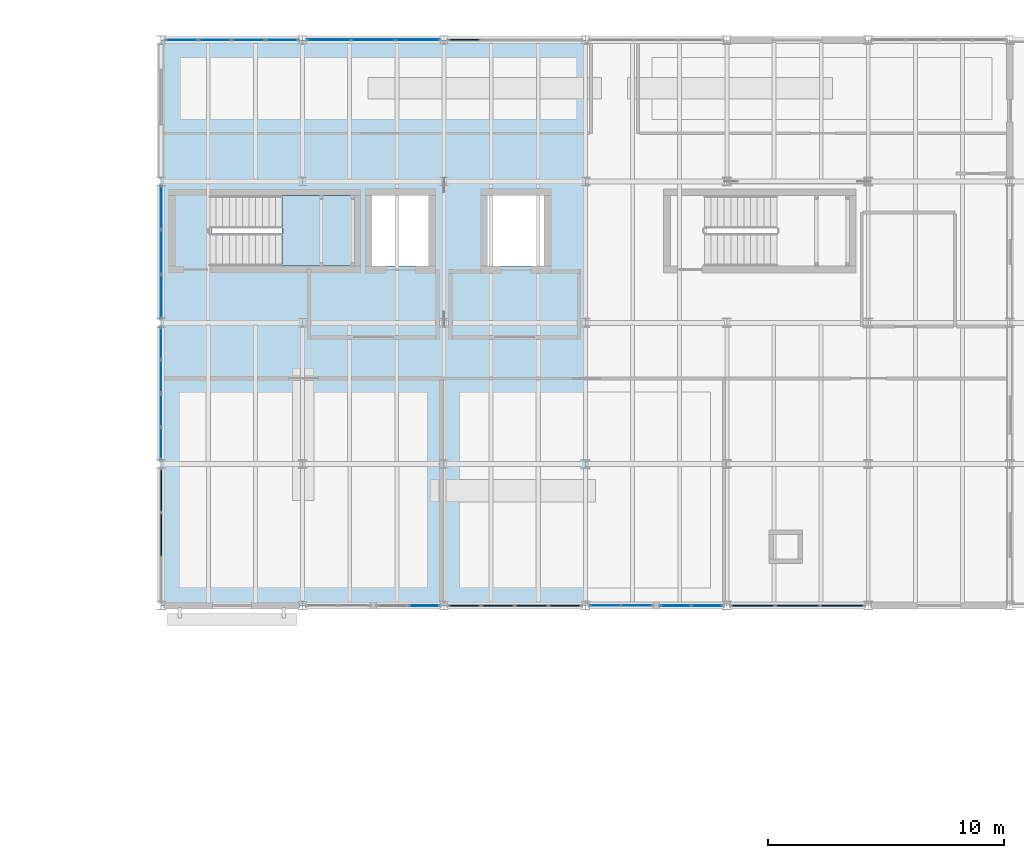
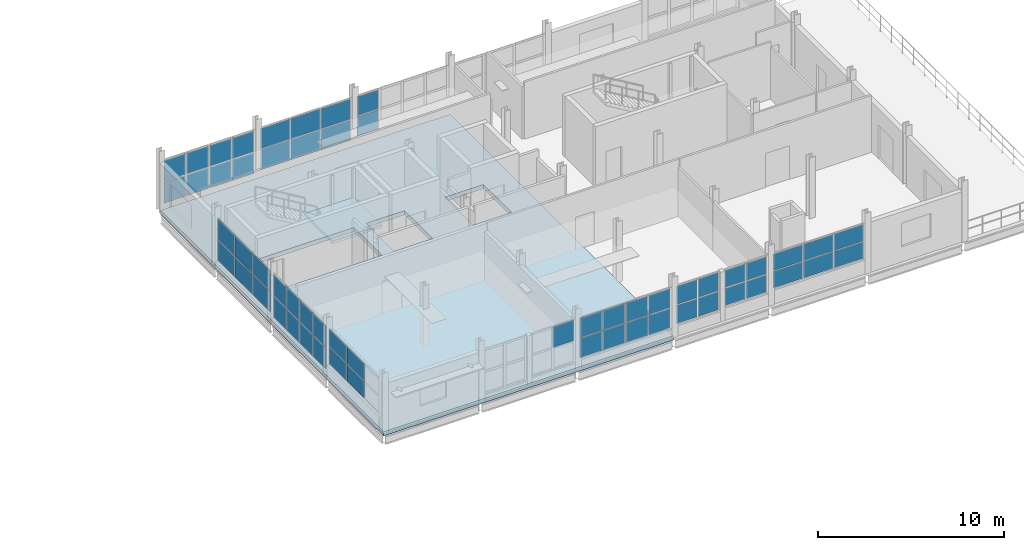
# One storey, part 23 of 45: 57 plates, 2 slabs, 12 elements without a shape of their own.
"""IFC4 building model written with IfcOpenShell, lengths in metres."""

from ifc_helpers import new_model, si_unit, direction, frame, origin, origin_2d, place, context, subcontext, project, spatial, polyline, rectangle, outline, extrude, material, layer, layer_set, type_object, element, aggregate, save


model = new_model("IFC4")

# Units and contexts
model_context = context("Model", 3, precision=1e-05, world=origin(), true_north=direction((0.0, 1.0)))
body_context = subcontext(model_context, "Body", "Model", "MODEL_VIEW")
ifc_project = project(units=[si_unit("LENGTHUNIT", "METRE"), si_unit("AREAUNIT", "SQUARE_METRE"), si_unit("VOLUMEUNIT", "CUBIC_METRE"), si_unit("PLANEANGLEUNIT", "RADIAN"), si_unit("MASSUNIT", "GRAM", prefix="KILO")], contexts=[model_context])

# Site, building, storey
site_placement = place(None, origin())
site = spatial("IfcSite", under=ifc_project, at=site_placement, CompositionType="ELEMENT")
building_placement = place(site_placement, origin())
building = spatial("IfcBuilding", under=site, at=building_placement, Name="Siltcreek Boulevard Central Fire Station", CompositionType="ELEMENT")
storey_placement = place(building_placement, frame((0.0, 0.0, 10.0)))
storey = spatial("IfcBuildingStorey", under=building, at=storey_placement, Name="L03", CompositionType="ELEMENT", Elevation=10.0)

# Curtain wall, plates
ifc_material_1 = material(Name="Anodized aluminum and low-E insulated glazing", Category="aluminium")
curtain_wall_type_1 = type_object("IfcCurtainWallType", Name="CW_SYS_04", PredefinedType="USERDEFINED", material=ifc_material_1)
curtain_wall_1_placement = place(storey_placement, origin())
curtain_wall_1 = element("IfcCurtainWall", 1, at=curtain_wall_1_placement, inside=storey, type_object=curtain_wall_type_1, Name="L03 V5 unitised curtain wall CW-153", ObjectType="CURTAIN WALL", PredefinedType="USERDEFINED")
ifc_material_2 = material(Name="Low-E double insulated glass unit", Category="glass")
ifc_layer_1 = layer(ifc_material_2, 0.028076171875, Name="Low-E double insulated glass unit")
ifc_layer_set_1 = layer_set([ifc_layer_1], Name="Low-E double insulated glass unit")
plate_type_1 = type_object("IfcPlateType", Name="CWP_GLZ_1", PredefinedType="CURTAIN_PANEL", material=ifc_layer_set_1)
plate_1_placement = place(storey_placement, frame((143.038818359375, 88.199951171875, 0.73974609375), z_axis=(0.0, 0.0, 1.0), x_axis=(1.0, 0.0, 0.0)))
plate_1 = element("IfcPlate", 2, at=plate_1_placement, type_object=plate_type_1, Name="CW-153 panel 1.1", PredefinedType="CURTAIN_PANEL", context=body_context, shape_type="SweptSolid", body=[
    extrude(rectangle(XDim=1.267578125, YDim=0.028076171875, at=origin_2d()), origin(), (0.0, 0.0, 1.0), 1.194580078125),
])
plate_2_placement = place(storey_placement, frame((143.038818359375, 88.199951171875, 1.99462890625), z_axis=(0.0, 0.0, 1.0), x_axis=(1.0, 0.0, 0.0)))
plate_2 = element("IfcPlate", 3, at=plate_2_placement, type_object=plate_type_1, Name="CW-153 panel 1.2", PredefinedType="CURTAIN_PANEL", context=body_context, shape_type="SweptSolid", body=[
    extrude(rectangle(XDim=1.267578125, YDim=0.028076171875, at=origin_2d()), origin(), (0.0, 0.0, 1.0), 1.194580078125),
])
plate_3_placement = place(storey_placement, frame((144.3662109375, 88.199951171875, 0.73974609375), z_axis=(0.0, 0.0, 1.0), x_axis=(1.0, 0.0, 0.0)))
plate_3 = element("IfcPlate", 4, at=plate_3_placement, type_object=plate_type_1, Name="CW-153 panel 2.1", PredefinedType="CURTAIN_PANEL", context=body_context, shape_type="SweptSolid", body=[
    extrude(rectangle(XDim=1.267578125, YDim=0.028076171875, at=origin_2d()), origin(), (0.0, 0.0, 1.0), 1.194580078125),
])
plate_4_placement = place(storey_placement, frame((144.3662109375, 88.199951171875, 1.99462890625), z_axis=(0.0, 0.0, 1.0), x_axis=(1.0, 0.0, 0.0)))
plate_4 = element("IfcPlate", 5, at=plate_4_placement, type_object=plate_type_1, Name="CW-153 panel 2.2", PredefinedType="CURTAIN_PANEL", context=body_context, shape_type="SweptSolid", body=[
    extrude(rectangle(XDim=1.267578125, YDim=0.028076171875, at=origin_2d()), origin(), (0.0, 0.0, 1.0), 1.194580078125),
])
aggregate(curtain_wall_1, [plate_1, plate_2, plate_3, plate_4])

curtain_wall_type_2 = type_object("IfcCurtainWallType", Name="CW_SYS_07", PredefinedType="USERDEFINED", material=ifc_material_1)
curtain_wall_2_placement = place(storey_placement, origin())
curtain_wall_2 = element("IfcCurtainWall", 6, at=curtain_wall_2_placement, inside=storey, type_object=curtain_wall_type_2, Name="L03 V5 unitised curtain wall CW-156", ObjectType="CURTAIN WALL", PredefinedType="USERDEFINED")
plate_5_placement = place(storey_placement, frame((129.324951171875, 112.199951171875, 0.38525390625), z_axis=(0.0, 0.0, 1.0), x_axis=(-1.0, 0.0, 0.0)))
plate_5 = element("IfcPlate", 7, at=plate_5_placement, type_object=plate_type_1, Name="CW-156 panel 1.1", PredefinedType="CURTAIN_PANEL", context=body_context, shape_type="SweptSolid", body=[
    extrude(rectangle(XDim=1.330078125, YDim=0.028076171875, at=origin_2d()), origin(), (0.0, 0.0, 1.0), 1.366943359375),
])
plate_6_placement = place(storey_placement, frame((129.324951171875, 112.199951171875, 1.81689453125), z_axis=(0.0, 0.0, 1.0), x_axis=(-1.0, 0.0, 0.0)))
plate_6 = element("IfcPlate", 8, at=plate_6_placement, type_object=plate_type_1, Name="CW-156 panel 1.2", PredefinedType="CURTAIN_PANEL", context=body_context, shape_type="SweptSolid", body=[
    extrude(rectangle(XDim=1.330078125, YDim=0.028076171875, at=origin_2d()), origin(), (0.0, 0.0, 1.0), 1.366943359375),
])
plate_7_placement = place(storey_placement, frame((127.913818359375, 112.199951171875, 0.38525390625), z_axis=(0.0, 0.0, 1.0), x_axis=(-1.0, 0.0, 0.0)))
plate_7 = element("IfcPlate", 9, at=plate_7_placement, type_object=plate_type_1, Name="CW-156 panel 2.1", PredefinedType="CURTAIN_PANEL", context=body_context, shape_type="SweptSolid", body=[
    extrude(rectangle(XDim=1.362548828125, YDim=0.028076171875, at=origin_2d()), origin(), (0.0, 0.0, 1.0), 1.366943359375),
])
plate_8_placement = place(storey_placement, frame((127.913818359375, 112.199951171875, 1.81689453125), z_axis=(0.0, 0.0, 1.0), x_axis=(-1.0, 0.0, 0.0)))
plate_8 = element("IfcPlate", 10, at=plate_8_placement, type_object=plate_type_1, Name="CW-156 panel 2.2", PredefinedType="CURTAIN_PANEL", context=body_context, shape_type="SweptSolid", body=[
    extrude(rectangle(XDim=1.362548828125, YDim=0.028076171875, at=origin_2d()), origin(), (0.0, 0.0, 1.0), 1.366943359375),
])
plate_9_placement = place(storey_placement, frame((126.486328125, 112.199951171875, 0.38525390625), z_axis=(0.0, 0.0, 1.0), x_axis=(-1.0, 0.0, 0.0)))
plate_9 = element("IfcPlate", 11, at=plate_9_placement, type_object=plate_type_1, Name="CW-156 panel 3.1", PredefinedType="CURTAIN_PANEL", context=body_context, shape_type="SweptSolid", body=[
    extrude(rectangle(XDim=1.362548828125, YDim=0.028076171875, at=origin_2d()), origin(), (0.0, 0.0, 1.0), 1.366943359375),
])
plate_10_placement = place(storey_placement, frame((126.486328125, 112.199951171875, 1.81689453125), z_axis=(0.0, 0.0, 1.0), x_axis=(-1.0, 0.0, 0.0)))
plate_10 = element("IfcPlate", 12, at=plate_10_placement, type_object=plate_type_1, Name="CW-156 panel 3.2", PredefinedType="CURTAIN_PANEL", context=body_context, shape_type="SweptSolid", body=[
    extrude(rectangle(XDim=1.362548828125, YDim=0.028076171875, at=origin_2d()), origin(), (0.0, 0.0, 1.0), 1.366943359375),
])
plate_11_placement = place(storey_placement, frame((125.074951171875, 112.199951171875, 0.38525390625), z_axis=(0.0, 0.0, 1.0), x_axis=(-1.0, 0.0, 0.0)))
plate_11 = element("IfcPlate", 13, at=plate_11_placement, type_object=plate_type_1, Name="CW-156 panel 4.1", PredefinedType="CURTAIN_PANEL", context=body_context, shape_type="SweptSolid", body=[
    extrude(rectangle(XDim=1.330078125, YDim=0.028076171875, at=origin_2d()), origin(), (0.0, 0.0, 1.0), 1.366943359375),
])
plate_12_placement = place(storey_placement, frame((125.074951171875, 112.199951171875, 1.81689453125), z_axis=(0.0, 0.0, 1.0), x_axis=(-1.0, 0.0, 0.0)))
plate_12 = element("IfcPlate", 14, at=plate_12_placement, type_object=plate_type_1, Name="CW-156 panel 4.2", PredefinedType="CURTAIN_PANEL", context=body_context, shape_type="SweptSolid", body=[
    extrude(rectangle(XDim=1.330078125, YDim=0.028076171875, at=origin_2d()), origin(), (0.0, 0.0, 1.0), 1.366943359375),
])
aggregate(curtain_wall_2, [plate_5, plate_6, plate_7, plate_8, plate_9, plate_10, plate_11, plate_12])

curtain_wall_type_3 = type_object("IfcCurtainWallType", Name="CW_SYS_13", PredefinedType="USERDEFINED", material=ifc_material_1)
curtain_wall_3_placement = place(storey_placement, origin())
curtain_wall_3 = element("IfcCurtainWall", 15, at=curtain_wall_3_placement, inside=storey, type_object=curtain_wall_type_3, Name="L03 V5 unitised curtain wall CW-162", ObjectType="CURTAIN WALL", PredefinedType="USERDEFINED")
plate_13_placement = place(storey_placement, frame((124.199951171875, 99.324951171875, 0.38525390625), z_axis=(0.0, 0.0, 1.0), x_axis=(0.0, -1.0, 0.0)))
plate_13 = element("IfcPlate", 16, at=plate_13_placement, type_object=plate_type_1, Name="CW-162 panel 1.1", PredefinedType="CURTAIN_PANEL", context=body_context, shape_type="SweptSolid", body=[
    extrude(rectangle(XDim=1.330078125, YDim=0.028076171875, at=origin_2d()), origin(), (0.0, 0.0, 1.0), 1.368896484375),
])
plate_14_placement = place(storey_placement, frame((124.199951171875, 99.324951171875, 1.81884765625), z_axis=(0.0, 0.0, 1.0), x_axis=(0.0, -1.0, 0.0)))
plate_14 = element("IfcPlate", 17, at=plate_14_placement, type_object=plate_type_1, Name="CW-162 panel 1.2", PredefinedType="CURTAIN_PANEL", context=body_context, shape_type="SweptSolid", body=[
    extrude(rectangle(XDim=1.330078125, YDim=0.028076171875, at=origin_2d()), origin(), (0.0, 0.0, 1.0), 1.368896484375),
])
plate_15_placement = place(storey_placement, frame((124.199951171875, 97.913818359375, 0.38525390625), z_axis=(0.0, 0.0, 1.0), x_axis=(0.0, -1.0, 0.0)))
plate_15 = element("IfcPlate", 18, at=plate_15_placement, type_object=plate_type_1, Name="CW-162 panel 2.1", PredefinedType="CURTAIN_PANEL", context=body_context, shape_type="SweptSolid", body=[
    extrude(rectangle(XDim=1.362548828125, YDim=0.028076171875, at=origin_2d()), origin(), (0.0, 0.0, 1.0), 1.368896484375),
])
plate_16_placement = place(storey_placement, frame((124.199951171875, 97.913818359375, 1.81884765625), z_axis=(0.0, 0.0, 1.0), x_axis=(0.0, -1.0, 0.0)))
plate_16 = element("IfcPlate", 19, at=plate_16_placement, type_object=plate_type_1, Name="CW-162 panel 2.2", PredefinedType="CURTAIN_PANEL", context=body_context, shape_type="SweptSolid", body=[
    extrude(rectangle(XDim=1.362548828125, YDim=0.028076171875, at=origin_2d()), origin(), (0.0, 0.0, 1.0), 1.368896484375),
])
plate_17_placement = place(storey_placement, frame((124.199951171875, 96.486328125, 0.38525390625), z_axis=(0.0, 0.0, 1.0), x_axis=(0.0, -1.0, 0.0)))
plate_17 = element("IfcPlate", 20, at=plate_17_placement, type_object=plate_type_1, Name="CW-162 panel 3.1", PredefinedType="CURTAIN_PANEL", context=body_context, shape_type="SweptSolid", body=[
    extrude(rectangle(XDim=1.362548828125, YDim=0.028076171875, at=origin_2d()), origin(), (0.0, 0.0, 1.0), 1.368896484375),
])
plate_18_placement = place(storey_placement, frame((124.199951171875, 96.486328125, 1.81884765625), z_axis=(0.0, 0.0, 1.0), x_axis=(0.0, -1.0, 0.0)))
plate_18 = element("IfcPlate", 21, at=plate_18_placement, type_object=plate_type_1, Name="CW-162 panel 3.2", PredefinedType="CURTAIN_PANEL", context=body_context, shape_type="SweptSolid", body=[
    extrude(rectangle(XDim=1.362548828125, YDim=0.028076171875, at=origin_2d()), origin(), (0.0, 0.0, 1.0), 1.368896484375),
])
plate_19_placement = place(storey_placement, frame((124.199951171875, 95.074951171875, 0.38525390625), z_axis=(0.0, 0.0, 1.0), x_axis=(0.0, -1.0, 0.0)))
plate_19 = element("IfcPlate", 22, at=plate_19_placement, type_object=plate_type_1, Name="CW-162 panel 4.1", PredefinedType="CURTAIN_PANEL", context=body_context, shape_type="SweptSolid", body=[
    extrude(rectangle(XDim=1.330078125, YDim=0.028076171875, at=origin_2d()), origin(), (0.0, 0.0, 1.0), 1.368896484375),
])
plate_20_placement = place(storey_placement, frame((124.199951171875, 95.074951171875, 1.81884765625), z_axis=(0.0, 0.0, 1.0), x_axis=(0.0, -1.0, 0.0)))
plate_20 = element("IfcPlate", 23, at=plate_20_placement, type_object=plate_type_1, Name="CW-162 panel 4.2", PredefinedType="CURTAIN_PANEL", context=body_context, shape_type="SweptSolid", body=[
    extrude(rectangle(XDim=1.330078125, YDim=0.028076171875, at=origin_2d()), origin(), (0.0, 0.0, 1.0), 1.368896484375),
])
aggregate(curtain_wall_3, [plate_13, plate_14, plate_15, plate_16, plate_17, plate_18, plate_19, plate_20])

# Curtain wall, plate
curtain_wall_type_4 = type_object("IfcCurtainWallType", Name="CW_SYS_02", PredefinedType="USERDEFINED", material=ifc_material_1)
curtain_wall_4_placement = place(storey_placement, origin())
curtain_wall_4 = element("IfcCurtainWall", 24, at=curtain_wall_4_placement, inside=storey, type_object=curtain_wall_type_4, Name="L03 V5 unitised curtain wall CW-151", ObjectType="CURTAIN WALL", PredefinedType="USERDEFINED")
ifc_layer_2 = layer(ifc_material_2, 0.0380859375, Name="Low-E double insulated glass unit")
ifc_layer_set_2 = layer_set([ifc_layer_2], Name="Low-E double insulated glass unit")
plate_type_2 = type_object("IfcPlateType", Name="CWP_GLZ_2", PredefinedType="CURTAIN_PANEL", material=ifc_layer_set_2)
plate_21_placement = place(storey_placement, frame((135.361328125, 88.199951171875, 1.87451171875), z_axis=(0.0, 0.0, 1.0), x_axis=(1.0, 0.0, 0.0)))
plate_21 = element("IfcPlate", 25, at=plate_21_placement, type_object=plate_type_2, Name="CW-151 panel 2.2", PredefinedType="CURTAIN_PANEL", context=body_context, shape_type="SweptSolid", body=[
    extrude(rectangle(XDim=1.267578125, YDim=0.0380859375, at=origin_2d()), origin(), (0.0, 0.0, 1.0), 1.314453125),
])
aggregate(curtain_wall_4, [plate_21])

# Curtain wall, plates
curtain_wall_type_5 = type_object("IfcCurtainWallType", Name="CW_SYS_05", PredefinedType="USERDEFINED", material=ifc_material_1)
curtain_wall_5_placement = place(storey_placement, origin())
curtain_wall_5 = element("IfcCurtainWall", 26, at=curtain_wall_5_placement, inside=storey, type_object=curtain_wall_type_5, Name="L03 V5 unitised curtain wall CW-154", ObjectType="CURTAIN WALL", PredefinedType="USERDEFINED")
plate_22_placement = place(storey_placement, frame((146.034912109375, 88.199951171875, 0.864990234375), z_axis=(0.0, 0.0, 1.0), x_axis=(1.0, 0.0, 0.0)))
plate_22 = element("IfcPlate", 27, at=plate_22_placement, type_object=plate_type_2, Name="CW-154 panel 1.1", PredefinedType="CURTAIN_PANEL", context=body_context, shape_type="SweptSolid", body=[
    extrude(rectangle(XDim=1.260009765625, YDim=0.0380859375, at=origin_2d()), origin(), (0.0, 0.0, 1.0), 1.126953125),
])
plate_23_placement = place(storey_placement, frame((146.034912109375, 88.199951171875, 2.05712890625), z_axis=(0.0, 0.0, 1.0), x_axis=(1.0, 0.0, 0.0)))
plate_23 = element("IfcPlate", 28, at=plate_23_placement, type_object=plate_type_2, Name="CW-154 panel 1.2", PredefinedType="CURTAIN_PANEL", context=body_context, shape_type="SweptSolid", body=[
    extrude(rectangle(XDim=1.260009765625, YDim=0.0380859375, at=origin_2d()), origin(), (0.0, 0.0, 1.0), 1.126953125),
])
plate_24_placement = place(storey_placement, frame((147.360107421875, 88.199951171875, 0.864990234375), z_axis=(0.0, 0.0, 1.0), x_axis=(1.0, 0.0, 0.0)))
plate_24 = element("IfcPlate", 29, at=plate_24_placement, type_object=plate_type_2, Name="CW-154 panel 2.1", PredefinedType="CURTAIN_PANEL", context=body_context, shape_type="SweptSolid", body=[
    extrude(rectangle(XDim=1.260009765625, YDim=0.0380859375, at=origin_2d()), origin(), (0.0, 0.0, 1.0), 1.126953125),
])
plate_25_placement = place(storey_placement, frame((147.360107421875, 88.199951171875, 2.05712890625), z_axis=(0.0, 0.0, 1.0), x_axis=(1.0, 0.0, 0.0)))
plate_25 = element("IfcPlate", 30, at=plate_25_placement, type_object=plate_type_2, Name="CW-154 panel 2.2", PredefinedType="CURTAIN_PANEL", context=body_context, shape_type="SweptSolid", body=[
    extrude(rectangle(XDim=1.260009765625, YDim=0.0380859375, at=origin_2d()), origin(), (0.0, 0.0, 1.0), 1.126953125),
])
aggregate(curtain_wall_5, [plate_22, plate_23, plate_24, plate_25])

curtain_wall_type_6 = type_object("IfcCurtainWallType", Name="CW_SYS_08", PredefinedType="USERDEFINED", material=ifc_material_1)
curtain_wall_6_placement = place(storey_placement, origin())
curtain_wall_6 = element("IfcCurtainWall", 31, at=curtain_wall_6_placement, inside=storey, type_object=curtain_wall_type_6, Name="L03 V5 unitised curtain wall CW-157", ObjectType="CURTAIN WALL", PredefinedType="USERDEFINED")
plate_26_placement = place(storey_placement, frame((135.08837890625, 112.199951171875, 0.5), z_axis=(0.0, 0.0, 1.0), x_axis=(-1.0, 0.0, 0.0)))
plate_26 = element("IfcPlate", 32, at=plate_26_placement, type_object=plate_type_2, Name="CW-157 panel 1.1", PredefinedType="CURTAIN_PANEL", context=body_context, shape_type="SweptSolid", body=[
    extrude(rectangle(XDim=1.813232421875, YDim=0.0380859375, at=origin_2d()), origin(), (0.0, 0.0, 1.0), 1.314453125),
])
plate_27_placement = place(storey_placement, frame((135.08837890625, 112.199951171875, 1.87451171875), z_axis=(0.0, 0.0, 1.0), x_axis=(-1.0, 0.0, 0.0)))
plate_27 = element("IfcPlate", 33, at=plate_27_placement, type_object=plate_type_2, Name="CW-157 panel 1.2", PredefinedType="CURTAIN_PANEL", context=body_context, shape_type="SweptSolid", body=[
    extrude(rectangle(XDim=1.813232421875, YDim=0.0380859375, at=origin_2d()), origin(), (0.0, 0.0, 1.0), 1.314453125),
])
plate_28_placement = place(storey_placement, frame((133.199951171875, 112.199951171875, 0.5), z_axis=(0.0, 0.0, 1.0), x_axis=(-1.0, 0.0, 0.0)))
plate_28 = element("IfcPlate", 34, at=plate_28_placement, type_object=plate_type_2, Name="CW-157 panel 2.1", PredefinedType="CURTAIN_PANEL", context=body_context, shape_type="SweptSolid", body=[
    extrude(rectangle(XDim=1.84326171875, YDim=0.0380859375, at=origin_2d()), origin(), (0.0, 0.0, 1.0), 1.314453125),
])
plate_29_placement = place(storey_placement, frame((133.199951171875, 112.199951171875, 1.87451171875), z_axis=(0.0, 0.0, 1.0), x_axis=(-1.0, 0.0, 0.0)))
plate_29 = element("IfcPlate", 35, at=plate_29_placement, type_object=plate_type_2, Name="CW-157 panel 2.2", PredefinedType="CURTAIN_PANEL", context=body_context, shape_type="SweptSolid", body=[
    extrude(rectangle(XDim=1.84326171875, YDim=0.0380859375, at=origin_2d()), origin(), (0.0, 0.0, 1.0), 1.314453125),
])
plate_30_placement = place(storey_placement, frame((131.311767578125, 112.199951171875, 0.5), z_axis=(0.0, 0.0, 1.0), x_axis=(-1.0, 0.0, 0.0)))
plate_30 = element("IfcPlate", 36, at=plate_30_placement, type_object=plate_type_2, Name="CW-157 panel 3.1", PredefinedType="CURTAIN_PANEL", context=body_context, shape_type="SweptSolid", body=[
    extrude(rectangle(XDim=1.813232421875, YDim=0.0380859375, at=origin_2d()), origin(), (0.0, 0.0, 1.0), 1.314453125),
])
plate_31_placement = place(storey_placement, frame((131.311767578125, 112.199951171875, 1.87451171875), z_axis=(0.0, 0.0, 1.0), x_axis=(-1.0, 0.0, 0.0)))
plate_31 = element("IfcPlate", 37, at=plate_31_placement, type_object=plate_type_2, Name="CW-157 panel 3.2", PredefinedType="CURTAIN_PANEL", context=body_context, shape_type="SweptSolid", body=[
    extrude(rectangle(XDim=1.813232421875, YDim=0.0380859375, at=origin_2d()), origin(), (0.0, 0.0, 1.0), 1.314453125),
])
aggregate(curtain_wall_6, [plate_26, plate_27, plate_28, plate_29, plate_30, plate_31])

curtain_wall_type_7 = type_object("IfcCurtainWallType", Name="CW_SYS_14", PredefinedType="USERDEFINED", material=ifc_material_1)
curtain_wall_7_placement = place(storey_placement, origin())
curtain_wall_7 = element("IfcCurtainWall", 38, at=curtain_wall_7_placement, inside=storey, type_object=curtain_wall_type_7, Name="L03 V5 unitised curtain wall CW-163", ObjectType="CURTAIN WALL", PredefinedType="USERDEFINED")
plate_32_placement = place(storey_placement, frame((124.199951171875, 105.08837890625, 0.5), z_axis=(0.0, 0.0, 1.0), x_axis=(0.0, -1.0, 0.0)))
plate_32 = element("IfcPlate", 39, at=plate_32_placement, type_object=plate_type_2, Name="CW-163 panel 1.1", PredefinedType="CURTAIN_PANEL", context=body_context, shape_type="SweptSolid", body=[
    extrude(rectangle(XDim=1.813232421875, YDim=0.0380859375, at=origin_2d()), origin(), (0.0, 0.0, 1.0), 1.31640625),
])
plate_33_placement = place(storey_placement, frame((124.199951171875, 105.08837890625, 1.87646484375), z_axis=(0.0, 0.0, 1.0), x_axis=(0.0, -1.0, 0.0)))
plate_33 = element("IfcPlate", 40, at=plate_33_placement, type_object=plate_type_2, Name="CW-163 panel 1.2", PredefinedType="CURTAIN_PANEL", context=body_context, shape_type="SweptSolid", body=[
    extrude(rectangle(XDim=1.813232421875, YDim=0.0380859375, at=origin_2d()), origin(), (0.0, 0.0, 1.0), 1.31640625),
])
plate_34_placement = place(storey_placement, frame((124.199951171875, 103.199951171875, 0.5), z_axis=(0.0, 0.0, 1.0), x_axis=(0.0, -1.0, 0.0)))
plate_34 = element("IfcPlate", 41, at=plate_34_placement, type_object=plate_type_2, Name="CW-163 panel 2.1", PredefinedType="CURTAIN_PANEL", context=body_context, shape_type="SweptSolid", body=[
    extrude(rectangle(XDim=1.84326171875, YDim=0.0380859375, at=origin_2d()), origin(), (0.0, 0.0, 1.0), 1.31640625),
])
plate_35_placement = place(storey_placement, frame((124.199951171875, 103.199951171875, 1.87646484375), z_axis=(0.0, 0.0, 1.0), x_axis=(0.0, -1.0, 0.0)))
plate_35 = element("IfcPlate", 42, at=plate_35_placement, type_object=plate_type_2, Name="CW-163 panel 2.2", PredefinedType="CURTAIN_PANEL", context=body_context, shape_type="SweptSolid", body=[
    extrude(rectangle(XDim=1.84326171875, YDim=0.0380859375, at=origin_2d()), origin(), (0.0, 0.0, 1.0), 1.31640625),
])
plate_36_placement = place(storey_placement, frame((124.199951171875, 101.311767578125, 0.5), z_axis=(0.0, 0.0, 1.0), x_axis=(0.0, -1.0, 0.0)))
plate_36 = element("IfcPlate", 43, at=plate_36_placement, type_object=plate_type_2, Name="CW-163 panel 3.1", PredefinedType="CURTAIN_PANEL", context=body_context, shape_type="SweptSolid", body=[
    extrude(rectangle(XDim=1.813232421875, YDim=0.0380859375, at=origin_2d()), origin(), (0.0, 0.0, 1.0), 1.31640625),
])
plate_37_placement = place(storey_placement, frame((124.199951171875, 101.311767578125, 1.87646484375), z_axis=(0.0, 0.0, 1.0), x_axis=(0.0, -1.0, 0.0)))
plate_37 = element("IfcPlate", 44, at=plate_37_placement, type_object=plate_type_2, Name="CW-163 panel 3.2", PredefinedType="CURTAIN_PANEL", context=body_context, shape_type="SweptSolid", body=[
    extrude(rectangle(XDim=1.813232421875, YDim=0.0380859375, at=origin_2d()), origin(), (0.0, 0.0, 1.0), 1.31640625),
])
aggregate(curtain_wall_7, [plate_32, plate_33, plate_34, plate_35, plate_36, plate_37])

curtain_wall_type_8 = type_object("IfcCurtainWallType", Name="CW_SYS_03", PredefinedType="USERDEFINED", material=ifc_material_1)
curtain_wall_8_placement = place(storey_placement, origin())
curtain_wall_8 = element("IfcCurtainWall", 45, at=curtain_wall_8_placement, inside=storey, type_object=curtain_wall_type_8, Name="L03 V5 unitised curtain wall CW-152", ObjectType="CURTAIN WALL", PredefinedType="USERDEFINED")
ifc_layer_3 = layer(ifc_material_2, 0.048095703125, Name="Low-E double insulated glass unit")
ifc_layer_set_3 = layer_set([ifc_layer_3], Name="Low-E double insulated glass unit")
plate_type_3 = type_object("IfcPlateType", Name="CWP_GLZ_3", PredefinedType="CURTAIN_PANEL", material=ifc_layer_set_3)
plate_38_placement = place(storey_placement, frame((137.074951171875, 88.199951171875, 0.625), z_axis=(0.0, 0.0, 1.0), x_axis=(1.0, 0.0, 0.0)))
plate_38 = element("IfcPlate", 46, at=plate_38_placement, type_object=plate_type_3, Name="CW-152 panel 1.1", PredefinedType="CURTAIN_PANEL", context=body_context, shape_type="SweptSolid", body=[
    extrude(rectangle(XDim=1.330078125, YDim=0.048095703125, at=origin_2d()), origin(), (0.0, 0.0, 1.0), 1.2470703125),
])
plate_39_placement = place(storey_placement, frame((137.074951171875, 88.199951171875, 1.93701171875), z_axis=(0.0, 0.0, 1.0), x_axis=(1.0, 0.0, 0.0)))
plate_39 = element("IfcPlate", 47, at=plate_39_placement, type_object=plate_type_3, Name="CW-152 panel 1.2", PredefinedType="CURTAIN_PANEL", context=body_context, shape_type="SweptSolid", body=[
    extrude(rectangle(XDim=1.330078125, YDim=0.048095703125, at=origin_2d()), origin(), (0.0, 0.0, 1.0), 1.2470703125),
])
plate_40_placement = place(storey_placement, frame((138.486328125, 88.199951171875, 0.625), z_axis=(0.0, 0.0, 1.0), x_axis=(1.0, 0.0, 0.0)))
plate_40 = element("IfcPlate", 48, at=plate_40_placement, type_object=plate_type_3, Name="CW-152 panel 2.1", PredefinedType="CURTAIN_PANEL", context=body_context, shape_type="SweptSolid", body=[
    extrude(rectangle(XDim=1.362548828125, YDim=0.048095703125, at=origin_2d()), origin(), (0.0, 0.0, 1.0), 1.2470703125),
])
plate_41_placement = place(storey_placement, frame((138.486328125, 88.199951171875, 1.93701171875), z_axis=(0.0, 0.0, 1.0), x_axis=(1.0, 0.0, 0.0)))
plate_41 = element("IfcPlate", 49, at=plate_41_placement, type_object=plate_type_3, Name="CW-152 panel 2.2", PredefinedType="CURTAIN_PANEL", context=body_context, shape_type="SweptSolid", body=[
    extrude(rectangle(XDim=1.362548828125, YDim=0.048095703125, at=origin_2d()), origin(), (0.0, 0.0, 1.0), 1.2470703125),
])
plate_42_placement = place(storey_placement, frame((139.913818359375, 88.199951171875, 0.625), z_axis=(0.0, 0.0, 1.0), x_axis=(1.0, 0.0, 0.0)))
plate_42 = element("IfcPlate", 50, at=plate_42_placement, type_object=plate_type_3, Name="CW-152 panel 3.1", PredefinedType="CURTAIN_PANEL", context=body_context, shape_type="SweptSolid", body=[
    extrude(rectangle(XDim=1.362548828125, YDim=0.048095703125, at=origin_2d()), origin(), (0.0, 0.0, 1.0), 1.2470703125),
])
plate_43_placement = place(storey_placement, frame((139.913818359375, 88.199951171875, 1.93701171875), z_axis=(0.0, 0.0, 1.0), x_axis=(1.0, 0.0, 0.0)))
plate_43 = element("IfcPlate", 51, at=plate_43_placement, type_object=plate_type_3, Name="CW-152 panel 3.2", PredefinedType="CURTAIN_PANEL", context=body_context, shape_type="SweptSolid", body=[
    extrude(rectangle(XDim=1.362548828125, YDim=0.048095703125, at=origin_2d()), origin(), (0.0, 0.0, 1.0), 1.2470703125),
])
plate_44_placement = place(storey_placement, frame((141.324951171875, 88.199951171875, 0.625), z_axis=(0.0, 0.0, 1.0), x_axis=(1.0, 0.0, 0.0)))
plate_44 = element("IfcPlate", 52, at=plate_44_placement, type_object=plate_type_3, Name="CW-152 panel 4.1", PredefinedType="CURTAIN_PANEL", context=body_context, shape_type="SweptSolid", body=[
    extrude(rectangle(XDim=1.330078125, YDim=0.048095703125, at=origin_2d()), origin(), (0.0, 0.0, 1.0), 1.2470703125),
])
plate_45_placement = place(storey_placement, frame((141.324951171875, 88.199951171875, 1.93701171875), z_axis=(0.0, 0.0, 1.0), x_axis=(1.0, 0.0, 0.0)))
plate_45 = element("IfcPlate", 53, at=plate_45_placement, type_object=plate_type_3, Name="CW-152 panel 4.2", PredefinedType="CURTAIN_PANEL", context=body_context, shape_type="SweptSolid", body=[
    extrude(rectangle(XDim=1.330078125, YDim=0.048095703125, at=origin_2d()), origin(), (0.0, 0.0, 1.0), 1.2470703125),
])
aggregate(curtain_wall_8, [plate_38, plate_39, plate_40, plate_41, plate_42, plate_43, plate_44, plate_45])

curtain_wall_type_9 = type_object("IfcCurtainWallType", Name="CW_SYS_06", PredefinedType="USERDEFINED", material=ifc_material_1)
curtain_wall_9_placement = place(storey_placement, origin())
curtain_wall_9 = element("IfcCurtainWall", 54, at=curtain_wall_9_placement, inside=storey, type_object=curtain_wall_type_9, Name="L03 V5 unitised curtain wall CW-155", ObjectType="CURTAIN WALL", PredefinedType="USERDEFINED")
plate_46_placement = place(storey_placement, frame((149.311767578125, 88.199951171875, 0.97998046875), z_axis=(0.0, 0.0, 1.0), x_axis=(1.0, 0.0, 0.0)))
plate_46 = element("IfcPlate", 55, at=plate_46_placement, type_object=plate_type_3, Name="CW-155 panel 1.1", PredefinedType="CURTAIN_PANEL", context=body_context, shape_type="SweptSolid", body=[
    extrude(rectangle(XDim=1.813232421875, YDim=0.048095703125, at=origin_2d()), origin(), (0.0, 0.0, 1.0), 1.074462890625),
])
plate_47_placement = place(storey_placement, frame((149.311767578125, 88.199951171875, 2.11474609375), z_axis=(0.0, 0.0, 1.0), x_axis=(1.0, 0.0, 0.0)))
plate_47 = element("IfcPlate", 56, at=plate_47_placement, type_object=plate_type_3, Name="CW-155 panel 1.2", PredefinedType="CURTAIN_PANEL", context=body_context, shape_type="SweptSolid", body=[
    extrude(rectangle(XDim=1.813232421875, YDim=0.048095703125, at=origin_2d()), origin(), (0.0, 0.0, 1.0), 1.074462890625),
])
plate_48_placement = place(storey_placement, frame((151.199951171875, 88.199951171875, 0.97998046875), z_axis=(0.0, 0.0, 1.0), x_axis=(1.0, 0.0, 0.0)))
plate_48 = element("IfcPlate", 57, at=plate_48_placement, type_object=plate_type_3, Name="CW-155 panel 2.1", PredefinedType="CURTAIN_PANEL", context=body_context, shape_type="SweptSolid", body=[
    extrude(rectangle(XDim=1.84326171875, YDim=0.048095703125, at=origin_2d()), origin(), (0.0, 0.0, 1.0), 1.074462890625),
])
plate_49_placement = place(storey_placement, frame((151.199951171875, 88.199951171875, 2.11474609375), z_axis=(0.0, 0.0, 1.0), x_axis=(1.0, 0.0, 0.0)))
plate_49 = element("IfcPlate", 58, at=plate_49_placement, type_object=plate_type_3, Name="CW-155 panel 2.2", PredefinedType="CURTAIN_PANEL", context=body_context, shape_type="SweptSolid", body=[
    extrude(rectangle(XDim=1.84326171875, YDim=0.048095703125, at=origin_2d()), origin(), (0.0, 0.0, 1.0), 1.074462890625),
])
plate_50_placement = place(storey_placement, frame((153.08837890625, 88.199951171875, 0.97998046875), z_axis=(0.0, 0.0, 1.0), x_axis=(1.0, 0.0, 0.0)))
plate_50 = element("IfcPlate", 59, at=plate_50_placement, type_object=plate_type_3, Name="CW-155 panel 3.1", PredefinedType="CURTAIN_PANEL", context=body_context, shape_type="SweptSolid", body=[
    extrude(rectangle(XDim=1.813232421875, YDim=0.048095703125, at=origin_2d()), origin(), (0.0, 0.0, 1.0), 1.074462890625),
])
plate_51_placement = place(storey_placement, frame((153.08837890625, 88.199951171875, 2.11474609375), z_axis=(0.0, 0.0, 1.0), x_axis=(1.0, 0.0, 0.0)))
plate_51 = element("IfcPlate", 60, at=plate_51_placement, type_object=plate_type_3, Name="CW-155 panel 3.2", PredefinedType="CURTAIN_PANEL", context=body_context, shape_type="SweptSolid", body=[
    extrude(rectangle(XDim=1.813232421875, YDim=0.048095703125, at=origin_2d()), origin(), (0.0, 0.0, 1.0), 1.074462890625),
])
aggregate(curtain_wall_9, [plate_46, plate_47, plate_48, plate_49, plate_50, plate_51])

curtain_wall_type_10 = type_object("IfcCurtainWallType", Name="CW_SYS_09", PredefinedType="USERDEFINED", material=ifc_material_1)
curtain_wall_10_placement = place(storey_placement, origin())
curtain_wall_10 = element("IfcCurtainWall", 61, at=curtain_wall_10_placement, inside=storey, type_object=curtain_wall_type_10, Name="L03 V5 unitised curtain wall CW-158", ObjectType="CURTAIN WALL", PredefinedType="USERDEFINED")
plate_52_placement = place(storey_placement, frame((137.074951171875, 112.199951171875, 0.625), z_axis=(0.0, 0.0, 1.0), x_axis=(-1.0, 0.0, 0.0)))
plate_52 = element("IfcPlate", 62, at=plate_52_placement, type_object=plate_type_3, Name="CW-158 panel 4.1", PredefinedType="CURTAIN_PANEL", context=body_context, shape_type="SweptSolid", body=[
    extrude(rectangle(XDim=1.330078125, YDim=0.048095703125, at=origin_2d()), origin(), (0.0, 0.0, 1.0), 1.2470703125),
])
plate_53_placement = place(storey_placement, frame((137.074951171875, 112.199951171875, 1.93701171875), z_axis=(0.0, 0.0, 1.0), x_axis=(-1.0, 0.0, 0.0)))
plate_53 = element("IfcPlate", 63, at=plate_53_placement, type_object=plate_type_3, Name="CW-158 panel 4.2", PredefinedType="CURTAIN_PANEL", context=body_context, shape_type="SweptSolid", body=[
    extrude(rectangle(XDim=1.330078125, YDim=0.048095703125, at=origin_2d()), origin(), (0.0, 0.0, 1.0), 1.2470703125),
])
aggregate(curtain_wall_10, [plate_52, plate_53])

curtain_wall_type_11 = type_object("IfcCurtainWallType", Name="CW_SYS_12", PredefinedType="USERDEFINED", material=ifc_material_1)
curtain_wall_11_placement = place(storey_placement, origin())
curtain_wall_11 = element("IfcCurtainWall", 64, at=curtain_wall_11_placement, inside=storey, type_object=curtain_wall_type_11, Name="L03 V5 unitised curtain wall CW-161", ObjectType="CURTAIN WALL", PredefinedType="USERDEFINED")
plate_54_placement = place(storey_placement, frame((124.199951171875, 93.08837890625, 0.97998046875), z_axis=(0.0, 0.0, 1.0), x_axis=(0.0, -1.0, 0.0)))
plate_54 = element("IfcPlate", 65, at=plate_54_placement, type_object=plate_type_3, Name="CW-161 panel 1.1", PredefinedType="CURTAIN_PANEL", context=body_context, shape_type="SweptSolid", body=[
    extrude(rectangle(XDim=1.813232421875, YDim=0.048095703125, at=origin_2d()), origin(), (0.0, 0.0, 1.0), 1.076416015625),
])
plate_55_placement = place(storey_placement, frame((124.199951171875, 93.08837890625, 2.11669921875), z_axis=(0.0, 0.0, 1.0), x_axis=(0.0, -1.0, 0.0)))
plate_55 = element("IfcPlate", 66, at=plate_55_placement, type_object=plate_type_3, Name="CW-161 panel 1.2", PredefinedType="CURTAIN_PANEL", context=body_context, shape_type="SweptSolid", body=[
    extrude(rectangle(XDim=1.813232421875, YDim=0.048095703125, at=origin_2d()), origin(), (0.0, 0.0, 1.0), 1.076416015625),
])
plate_56_placement = place(storey_placement, frame((124.199951171875, 91.199951171875, 0.97998046875), z_axis=(0.0, 0.0, 1.0), x_axis=(0.0, -1.0, 0.0)))
plate_56 = element("IfcPlate", 67, at=plate_56_placement, type_object=plate_type_3, Name="CW-161 panel 2.1", PredefinedType="CURTAIN_PANEL", context=body_context, shape_type="SweptSolid", body=[
    extrude(rectangle(XDim=1.84326171875, YDim=0.048095703125, at=origin_2d()), origin(), (0.0, 0.0, 1.0), 1.076416015625),
])
plate_57_placement = place(storey_placement, frame((124.199951171875, 91.199951171875, 2.11669921875), z_axis=(0.0, 0.0, 1.0), x_axis=(0.0, -1.0, 0.0)))
plate_57 = element("IfcPlate", 68, at=plate_57_placement, type_object=plate_type_3, Name="CW-161 panel 2.2", PredefinedType="CURTAIN_PANEL", context=body_context, shape_type="SweptSolid", body=[
    extrude(rectangle(XDim=1.84326171875, YDim=0.048095703125, at=origin_2d()), origin(), (0.0, 0.0, 1.0), 1.076416015625),
])
aggregate(curtain_wall_11, [plate_54, plate_55, plate_56, plate_57])

# Slab
ifc_material_3 = material(Name="Concrete C35/45", Category="concrete")
ifc_layer_4 = layer(ifc_material_3, 0.280029296875, Name="Concrete C35/45")
ifc_layer_set_4 = layer_set([ifc_layer_4], Name="Concrete C35/45")
slab_type_1 = type_object("IfcSlabType", Name="SL_FLR280", PredefinedType="FLOOR", material=ifc_layer_set_4)
slab_1_placement = place(storey_placement, frame((0.0, 0.0, -0.280029296875)))
element("IfcSlab", 69, at=slab_1_placement, inside=storey, type_object=slab_type_1, Name="L03 V5 structural floor slab SL-040", PredefinedType="FLOOR", context=body_context, shape_type="SweptSolid", body=[
    extrude(outline(polyline([(124.199951171875, 112.199951171875), (142.199951171875, 112.199951171875), (142.199951171875, 88.199951171875), (124.199951171875, 88.199951171875), (124.199951171875, 112.199951171875)]), holes=[polyline([(132.39990234375, 102.60009765625), (132.39990234375, 105.60009765625), (126.360107421875, 105.60009765625), (126.360107421875, 102.60009765625), (132.39990234375, 102.60009765625)]), polyline([(135.550048828125, 102.60009765625), (135.550048828125, 105.60009765625), (133.14990234375, 105.60009765625), (133.14990234375, 102.60009765625), (135.550048828125, 102.60009765625)]), polyline([(138.050048828125, 102.60009765625), (140.449951171875, 102.60009765625), (140.449951171875, 105.60009765625), (138.050048828125, 105.60009765625), (138.050048828125, 102.60009765625)])]), origin(), (0.0, 0.0, 1.0), 0.280029296875),
])

# Stair, slab
ifc_material_4 = material(Name="Precast concrete C40/50", Category="concrete")
stair_type = type_object("IfcStairType", Name="ST_DOG_H40", PredefinedType="HALF_TURN_STAIR", material=ifc_material_4)
stair_placement = place(storey_placement, origin())
stair = element("IfcStair", 70, at=stair_placement, inside=storey, type_object=stair_type, Name="L03 Enclosed exit stairway ST-V5A", PredefinedType="HALF_TURN_STAIR")
ifc_layer_5 = layer(ifc_material_4, 0.199951171875, Name="Precast concrete C40/50")
ifc_layer_set_5 = layer_set([ifc_layer_5], Name="Precast concrete C40/50")
slab_type_2 = type_object("IfcSlabType", Name="SL_LAND200", PredefinedType="LANDING", material=ifc_layer_set_5)
slab_2_placement = place(storey_placement, frame((0.0, 0.0, 1.800048828125)))
slab_2 = element("IfcSlab", 71, at=slab_2_placement, type_object=slab_type_2, Name="ST-V5A landing 1", PredefinedType="LANDING", context=body_context, shape_type="SweptSolid", body=[
    extrude(outline(polyline([(129.330078125, 102.60009765625), (132.39990234375, 102.60009765625), (132.39990234375, 105.60009765625), (129.330078125, 105.60009765625), (129.330078125, 102.60009765625)])), origin(), (0.0, 0.0, 1.0), 0.199951171875),
])
aggregate(stair, [slab_2])

save(model, "model.ifc")
